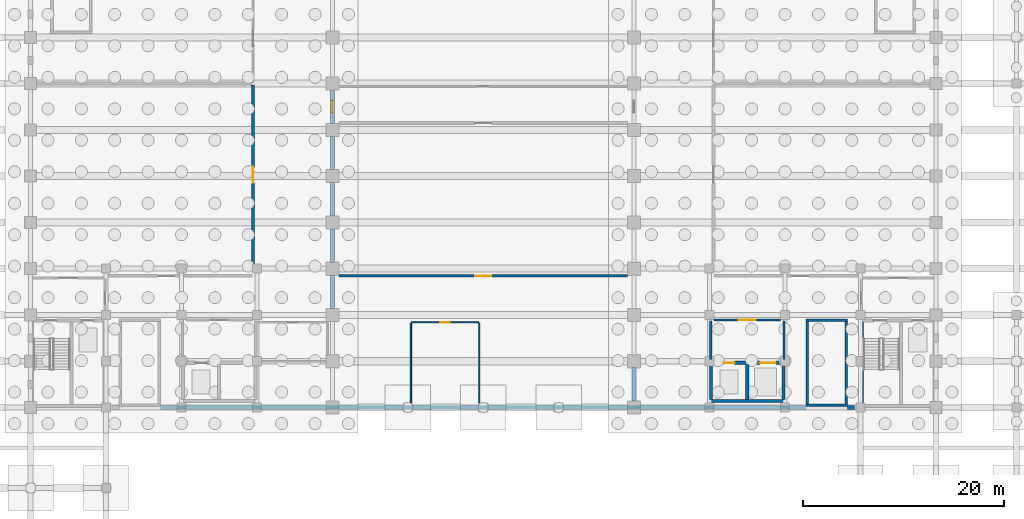
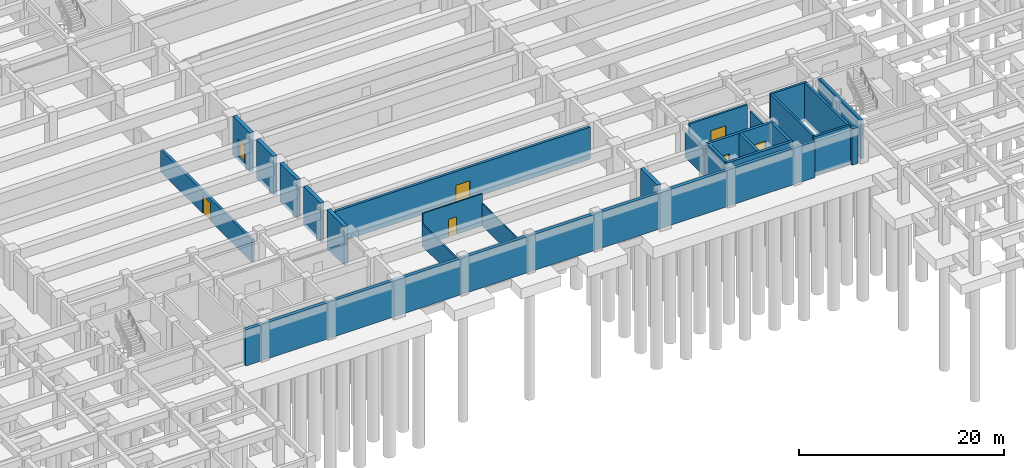
# One storey, part 22 of 32: 26 walls, 7 doors, 7 openings.
"""IFC4 building model written with IfcOpenShell, lengths in metres."""

from ifc_helpers import new_model, si_unit, direction, frame, frame_2d, origin, place, context, subcontext, project, spatial, rectangle, extrude, material, layer, layer_set, type_object, element, fill, save


model = new_model("IFC4")

# Units and contexts
model_context = context("Model", 3, precision=1e-05, world=origin(), true_north=direction((0.0, 1.0)))
body_context = subcontext(model_context, "Body", "Model", "MODEL_VIEW")
ifc_project = project(units=[si_unit("LENGTHUNIT", "METRE"), si_unit("AREAUNIT", "SQUARE_METRE"), si_unit("VOLUMEUNIT", "CUBIC_METRE"), si_unit("PLANEANGLEUNIT", "RADIAN"), si_unit("MASSUNIT", "GRAM", prefix="KILO")], contexts=[model_context])

# Site, building, storey
site_placement = place(None, origin())
site = spatial("IfcSite", under=ifc_project, at=site_placement, CompositionType="ELEMENT")
building_placement = place(site_placement, origin())
building = spatial("IfcBuilding", under=site, at=building_placement, Name="Muzn Square Opera House", CompositionType="ELEMENT")
storey_placement = place(building_placement, frame((0.0, 0.0, -4.199951171875)))
storey = spatial("IfcBuildingStorey", under=building, at=storey_placement, Name="B1", CompositionType="ELEMENT", Elevation=-4.199951171875)

# Walls
ifc_material_1 = material(Name="Concrete C45/55", Category="concrete")
ifc_layer_1 = layer(ifc_material_1, 0.419921875, Name="Concrete C45/55", Category="concrete")
ifc_layer_set_1 = layer_set([ifc_layer_1], Name="Concrete C45/55")
wall_type_1 = type_object("IfcWallType", Name="Auditorium Acoustic Shear Wall 420mm", PredefinedType="SHEAR", material=ifc_layer_set_1)
wall_1_placement = place(storey_placement, frame((103.0, 22.639892578125, -0.420166015625), z_axis=(0.0, 0.0, 1.0), x_axis=(0.0, 1.0, 0.0)))
element("IfcWall", 1, at=wall_1_placement, inside=storey, type_object=wall_type_1, Name="Auditorium Acoustic Shear Wall AUDW-B1-E00", PredefinedType="SHEAR", context=body_context, shape_type="SweptSolid", body=[
    extrude(rectangle(XDim=3.320068359375, YDim=0.419921875, at=frame_2d((1.66015625, 0.0))), origin(), (0.0, 0.0, 1.0), 4.6201171875),
])
wall_2_placement = place(storey_placement, frame((73.0, 31.840087890625, -0.420166015625), z_axis=(0.0, 0.0, 1.0), x_axis=(0.0, 1.0, 0.0)))
element("IfcWall", 2, at=wall_2_placement, inside=storey, type_object=wall_type_1, Name="Auditorium Acoustic Shear Wall AUDW-B1-W02", PredefinedType="SHEAR", context=body_context, shape_type="SweptSolid", body=[
    extrude(rectangle(XDim=3.31982421875, YDim=0.419921875, at=frame_2d((1.659912109375, 0.0))), origin(), (0.0, 0.0, 1.0), 4.6201171875),
])
for number, where, z_axis, x_axis, name in (
    (3, (73.0, 36.43994140625, -0.420166015625), (0.0, 0.0, 1.0), (0.0, 1.0, 0.0), "Auditorium Acoustic Shear Wall AUDW-B1-W03"),
    (4, (73.0, 41.0400390625, -0.420166015625), (0.0, 0.0, 1.0), (0.0, 1.0, 0.0), "Auditorium Acoustic Shear Wall AUDW-B1-W04"),
    (5, (73.0, 45.639892578125, -0.420166015625), (0.0, 0.0, 1.0), (0.0, 1.0, 0.0), "Auditorium Acoustic Shear Wall AUDW-B1-W05"),
):
    element("IfcWall", number, at=place(storey_placement, frame(where, z_axis=z_axis, x_axis=x_axis)), inside=storey, type_object=wall_type_1, Name=name, PredefinedType="SHEAR", context=body_context, shape_type="SweptSolid", body=[
        extrude(rectangle(XDim=3.320068359375, YDim=0.419921875, at=frame_2d((1.66015625, 0.0))), origin(), (0.0, 0.0, 1.0), 4.6201171875),
    ])

# Wall, opening, door
wall_3_placement = place(storey_placement, frame((73.0, 50.239990234375, -0.420166015625), z_axis=(0.0, 0.0, 1.0), x_axis=(0.0, 1.0, 0.0)))
wall_3 = element("IfcWall", 6, at=wall_3_placement, inside=storey, type_object=wall_type_1, Name="Auditorium Acoustic Shear Wall AUDW-B1-W06", PredefinedType="SHEAR", context=body_context, shape_type="SweptSolid", body=[
    extrude(rectangle(XDim=3.320068359375, YDim=0.419921875, at=frame_2d((1.66015625, 0.0))), origin(), (0.0, 0.0, 1.0), 4.6201171875),
])
opening_1_placement = place(wall_3_placement, frame((1.06005859375, 0.0, 0.419921875)))
opening_1 = element("IfcOpeningElement", 7, at=opening_1_placement, cuts=wall_3, Name="Opening DR-ST12", PredefinedType="OPENING", context=body_context, shape_type="SweptSolid", body=[
    extrude(rectangle(XDim=1.199951171875, YDim=2.14990234375, at=frame_2d((0.60009765625, 1.074951171875))), frame((0.0, 0.219970703125, 0.0), z_axis=(0.0, -1.0, 0.0), x_axis=(1.0, 0.0, 0.0)), (0.0, 0.0, 1.0), 0.43994140625),
])
ifc_material_2 = material(Name="Galvanised painted steel leaf", Category="metal")
door_type_1 = type_object("IfcDoorType", Name="Core Stair Fire Door 1200x2150", OperationType="NOTDEFINED", PredefinedType="DOOR", material=ifc_material_2)
door_1_placement = place(opening_1_placement, origin())
door_1 = element("IfcDoor", 8, at=door_1_placement, inside=storey, type_object=door_type_1, Name="Basement Mid Cross Corridor Fire Door W", OperationType="SINGLE_SWING_LEFT", OverallHeight=2.14990234375, OverallWidth=1.199951171875, PredefinedType="DOOR", context=body_context, shape_type="SweptSolid", body=[
    extrude(rectangle(XDim=1.199951171875, YDim=2.14990234375, at=frame_2d((0.60009765625, 1.074951171875))), frame((0.0, 0.02490234375, 0.0), z_axis=(0.0, -1.0, 0.0), x_axis=(1.0, 0.0, 0.0)), (0.0, 0.0, 1.0), 0.050048828125),
])
fill(opening_1, door_1)

# Walls
ifc_layer_2 = layer(ifc_material_1, 0.3798828125, Name="Concrete C45/55", Category="concrete")
ifc_layer_set_2 = layer_set([ifc_layer_2], Name="Concrete C45/55")
wall_type_2 = type_object("IfcWallType", Name="Basement Retaining Wall 380mm", PredefinedType="SHEAR", material=ifc_layer_set_2)
wall_4_placement = place(storey_placement, frame((55.919921875, 22.0, -0.420166015625), z_axis=(0.0, 0.0, 1.0), x_axis=(1.0, 0.0, 0.0)))
element("IfcWall", 9, at=wall_4_placement, inside=storey, type_object=wall_type_2, Name="Basement Retaining Wall RET-B1-S1", PredefinedType="SHEAR", context=body_context, shape_type="SweptSolid", body=[
    extrude(rectangle(XDim=64.16015625, YDim=0.3798828125, at=frame_2d((32.080078125, 0.0))), origin(), (0.0, 0.0, 1.0), 4.300048828125),
])
wall_5_placement = place(storey_placement, frame((124.219970703125, 22.0, -0.420166015625), z_axis=(0.0, 0.0, 1.0), x_axis=(1.0, 0.0, 0.0)))
element("IfcWall", 10, at=wall_5_placement, inside=storey, type_object=wall_type_2, Name="Basement Retaining Wall RET-B1-S1", PredefinedType="SHEAR", context=body_context, shape_type="SweptSolid", body=[
    extrude(rectangle(XDim=0.679931640625, YDim=0.3798828125, at=frame_2d((0.33984375, 0.0))), origin(), (0.0, 0.0, 1.0), 4.300048828125),
])
ifc_layer_3 = layer(ifc_material_1, 0.300048828125, Name="Concrete C45/55", Category="concrete")
ifc_layer_set_3 = layer_set([ifc_layer_3], Name="Concrete C45/55")
wall_type_3 = type_object("IfcWallType", Name="Core Shear Wall 300mm", PredefinedType="SHEAR", material=ifc_layer_set_3)
wall_6_placement = place(storey_placement, frame((125.64990234375, 22.300048828125, -0.420166015625), z_axis=(0.0, 0.0, 1.0), x_axis=(0.0, 1.0, 0.0)))
element("IfcWall", 11, at=wall_6_placement, inside=storey, type_object=wall_type_3, Name="Core C4 Shear Wall SW-C4-B1-W", PredefinedType="SHEAR", context=body_context, shape_type="SweptSolid", body=[
    extrude(rectangle(XDim=8.199951171875, YDim=0.300048828125, at=frame_2d((4.10009765625, 0.0))), origin(), (0.0, 0.0, 1.0), 4.6201171875),
])
wall_7_placement = place(storey_placement, frame((110.5, 22.64990234375, -0.420166015625), z_axis=(0.0, 0.0, 1.0), x_axis=(1.0, 0.0, 0.0)))
element("IfcWall", 12, at=wall_7_placement, inside=storey, type_object=wall_type_3, Name="Lift Bank LBE Shear Wall SW-LBE-B1-S", PredefinedType="SHEAR", context=body_context, shape_type="SweptSolid", body=[
    extrude(rectangle(XDim=7.5, YDim=0.300048828125, at=frame_2d((3.75, 0.0))), origin(), (0.0, 0.0, 1.0), 4.6201171875),
])
for number, where, z_axis, x_axis, name in (
    (13, (110.64990234375, 22.800048828125, -0.420166015625), (0.0, 0.0, 1.0), (0.0, 1.0, 0.0), "Lift Bank LBE Shear Wall SW-LBE-B1-W"),
    (14, (117.85009765625, 22.800048828125, -0.420166015625), (0.0, 0.0, 1.0), (0.0, 1.0, 0.0), "Lift Bank LBE Shear Wall SW-LBE-B1-E"),
    (15, (114.25, 22.800048828125, -0.420166015625), (0.0, 0.0, 1.0), (0.0, 1.0, 0.0), "Lift Bank LBE Shear Wall SW-LBE-B1-DIV"),
):
    element("IfcWall", number, at=place(storey_placement, frame(where, z_axis=z_axis, x_axis=x_axis)), inside=storey, type_object=wall_type_3, Name=name, PredefinedType="SHEAR", context=body_context, shape_type="SweptSolid", body=[
        extrude(rectangle(XDim=3.5, YDim=0.300048828125, at=frame_2d((1.75, 0.0))), origin(), (0.0, 0.0, 1.0), 4.6201171875),
    ])
wall_8_placement = place(storey_placement, frame((120.10009765625, 22.22509765625, -0.420166015625), z_axis=(0.0, 0.0, 1.0), x_axis=(1.0, 0.0, 0.0)))
element("IfcWall", 16, at=wall_8_placement, inside=storey, type_object=wall_type_3, Name="Escape Stair ST-12 Substructure Wall S", PredefinedType="SHEAR", context=body_context, shape_type="SweptSolid", body=[
    extrude(rectangle(XDim=4.099853515625, YDim=0.25, at=frame_2d((2.0498046875, 0.0))), origin(), (0.0, 0.0, 1.0), 4.6201171875),
])
for number, where, z_axis, x_axis, name in (
    (17, (120.22509765625, 22.35009765625, -0.420166015625), (0.0, 0.0, 1.0), (0.0, 1.0, 0.0), "Escape Stair ST-12 Substructure Wall W"),
    (18, (124.074951171875, 22.35009765625, -0.420166015625), (0.0, 0.0, 1.0), (0.0, 1.0, 0.0), "Escape Stair ST-12 Substructure Wall E"),
):
    element("IfcWall", number, at=place(storey_placement, frame(where, z_axis=z_axis, x_axis=x_axis)), inside=storey, type_object=wall_type_3, Name=name, PredefinedType="SHEAR", context=body_context, shape_type="SweptSolid", body=[
        extrude(rectangle(XDim=8.199951171875, YDim=0.25, at=frame_2d((4.10009765625, 0.0))), origin(), (0.0, 0.0, 1.0), 4.6201171875),
    ])
wall_9_placement = place(storey_placement, frame((120.10009765625, 30.675048828125, -0.420166015625), z_axis=(0.0, 0.0, 1.0), x_axis=(1.0, 0.0, 0.0)))
element("IfcWall", 19, at=wall_9_placement, inside=storey, type_object=wall_type_3, Name="Escape Stair ST-12 Substructure Wall N", PredefinedType="SHEAR", context=body_context, shape_type="SweptSolid", body=[
    extrude(rectangle(XDim=4.099853515625, YDim=0.25, at=frame_2d((2.0498046875, 0.0))), origin(), (0.0, 0.0, 1.0), 4.6201171875),
])

# Wall, openings, doors
wall_10_placement = place(storey_placement, frame((110.5, 26.449951171875, 0.0), z_axis=(0.0, 0.0, 1.0), x_axis=(1.0, 0.0, 0.0)))
wall_10 = element("IfcWall", 20, at=wall_10_placement, inside=storey, type_object=wall_type_3, Name="Lift Bank LBE Front Wall B1", PredefinedType="SHEAR", context=body_context, shape_type="SweptSolid", body=[
    extrude(rectangle(XDim=7.5, YDim=0.300048828125, at=frame_2d((3.75, 0.0))), origin(), (0.0, 0.0, 1.0), 4.199951171875),
])
opening_2_placement = place(wall_10_placement, frame((1.39990234375, 0.0, 0.0)))
opening_2 = element("IfcOpeningElement", 21, at=opening_2_placement, cuts=wall_10, Name="Opening LD-01", PredefinedType="OPENING", context=body_context, shape_type="SweptSolid", body=[
    extrude(rectangle(XDim=1.10009765625, YDim=2.14990234375, at=frame_2d((0.550048828125, 1.074951171875))), frame((0.0, 0.159912109375, 0.0), z_axis=(0.0, -1.0, 0.0), x_axis=(1.0, 0.0, 0.0)), (0.0, 0.0, 1.0), 0.320068359375),
])
opening_3_placement = place(wall_10_placement, frame((5.0, 0.0, 0.0)))
opening_3 = element("IfcOpeningElement", 22, at=opening_3_placement, cuts=wall_10, Name="Opening LD-02", PredefinedType="OPENING", context=body_context, shape_type="SweptSolid", body=[
    extrude(rectangle(XDim=1.60009765625, YDim=2.25, at=frame_2d((0.800048828125, 1.125))), frame((0.0, 0.159912109375, 0.0), z_axis=(0.0, -1.0, 0.0), x_axis=(1.0, 0.0, 0.0)), (0.0, 0.0, 1.0), 0.320068359375),
])
ifc_material_3 = material(Name="Brushed stainless steel", Category="metal")
door_type_2 = type_object("IfcDoorType", Name="Goods Lift Sliding Door 1600x2250", OperationType="SLIDING_TO_LEFT", PredefinedType="DOOR", material=ifc_material_3)
door_2_placement = place(opening_3_placement, origin())
door_2 = element("IfcDoor", 23, at=door_2_placement, inside=storey, type_object=door_type_2, Name="Lift GL-2 Sliding Landing Door B1", OperationType="SLIDING_TO_LEFT", OverallHeight=2.25, OverallWidth=1.60009765625, PredefinedType="DOOR", context=body_context, shape_type="SweptSolid", body=[
    extrude(rectangle(XDim=1.60009765625, YDim=2.25, at=frame_2d((0.800048828125, 1.125))), frame((0.0, 0.02490234375, 0.0), z_axis=(0.0, -1.0, 0.0), x_axis=(1.0, 0.0, 0.0)), (0.0, 0.0, 1.0), 0.050048828125),
])
fill(opening_3, door_2)
door_type_3 = type_object("IfcDoorType", Name="Lift Landing Sliding Door 1100x2150", OperationType="SLIDING_TO_LEFT", PredefinedType="DOOR", material=ifc_material_3)
door_3_placement = place(opening_2_placement, origin())
door_3 = element("IfcDoor", 24, at=door_3_placement, inside=storey, type_object=door_type_3, Name="Lift PL-4 Sliding Landing Door B1", OperationType="SLIDING_TO_LEFT", OverallHeight=2.14990234375, OverallWidth=1.10009765625, PredefinedType="DOOR", context=body_context, shape_type="SweptSolid", body=[
    extrude(rectangle(XDim=1.10009765625, YDim=2.14990234375, at=frame_2d((0.550048828125, 1.074951171875))), frame((0.0, 0.02490234375, 0.0), z_axis=(0.0, -1.0, 0.0), x_axis=(1.0, 0.0, 0.0)), (0.0, 0.0, 1.0), 0.050048828125),
])
fill(opening_2, door_3)

# Wall, opening, door
ifc_material_4 = material(Name="Concrete C40/50", Category="concrete")
ifc_layer_4 = layer(ifc_material_4, 0.219970703125, Name="Concrete C40/50", Category="concrete")
ifc_layer_set_4 = layer_set([ifc_layer_4], Name="Concrete C40/50")
wall_type_4 = type_object("IfcWallType", Name="Lift Lobby Wall 220mm", PredefinedType="SOLIDWALL", material=ifc_layer_set_4)
wall_11_placement = place(storey_placement, frame((110.965087890625, 30.68994140625, 0.0), z_axis=(0.0, 0.0, 1.0), x_axis=(1.0, 0.0, 0.0)))
wall_11 = element("IfcWall", 25, at=wall_11_placement, inside=storey, type_object=wall_type_4, Name="Lift Lobby LBE Wall B1", PredefinedType="SOLIDWALL", context=body_context, shape_type="SweptSolid", body=[
    extrude(rectangle(XDim=6.56982421875, YDim=0.219970703125, at=frame_2d((3.284912109375, 0.0))), origin(), (0.0, 0.0, 1.0), 3.820068359375),
])
opening_4_placement = place(wall_11_placement, frame((2.43505859375, 0.0, 0.0)))
opening_4 = element("IfcOpeningElement", 26, at=opening_4_placement, cuts=wall_11, Name="Opening DR-LL17", PredefinedType="OPENING", context=body_context, shape_type="SweptSolid", body=[
    extrude(rectangle(XDim=1.699951171875, YDim=2.179931640625, at=frame_2d((0.85009765625, 1.08984375))), frame((0.0, 0.119873046875, 0.0), z_axis=(0.0, -1.0, 0.0), x_axis=(1.0, 0.0, 0.0)), (0.0, 0.0, 1.0), 0.239990234375),
])
ifc_material_5 = material(Name="Acoustic hardwood leaf", Category="wood")
door_type_4 = type_object("IfcDoorType", Name="Lift Lobby Double Door 1700x2180", OperationType="DOUBLE_DOOR_SINGLE_SWING", PredefinedType="DOOR", material=ifc_material_5)
door_4_placement = place(opening_4_placement, origin())
door_4 = element("IfcDoor", 27, at=door_4_placement, inside=storey, type_object=door_type_4, Name="Lift Lobby LBE Door B1", OperationType="DOUBLE_DOOR_SINGLE_SWING", OverallHeight=2.179931640625, OverallWidth=1.699951171875, PredefinedType="DOOR", context=body_context, shape_type="SweptSolid", body=[
    extrude(rectangle(XDim=1.699951171875, YDim=2.179931640625, at=frame_2d((0.85009765625, 1.08984375))), frame((0.0, 0.02490234375, 0.0), z_axis=(0.0, -1.0, 0.0), x_axis=(1.0, 0.0, 0.0)), (0.0, 0.0, 1.0), 0.050048828125),
])
fill(opening_4, door_4)

# Walls
for number, where, z_axis, x_axis, name in (
    (28, (110.610107421875, 26.75, 0.0), (0.0, 0.0, 1.0), (0.0, 1.0, 0.0), "Lift Lobby LBE Side Wall W B1"),
    (29, (117.889892578125, 26.75, 0.0), (0.0, 0.0, 1.0), (0.0, 1.0, 0.0), "Lift Lobby LBE Side Wall E B1"),
):
    element("IfcWall", number, at=place(storey_placement, frame(where, z_axis=z_axis, x_axis=x_axis)), inside=storey, type_object=wall_type_4, Name=name, PredefinedType="SOLIDWALL", context=body_context, shape_type="SweptSolid", body=[
        extrude(rectangle(XDim=3.830078125, YDim=0.219970703125, at=frame_2d((1.9150390625, 0.0))), origin(), (0.0, 0.0, 1.0), 2.9599609375),
    ])

# Wall, opening, door
ifc_layer_5 = layer(ifc_material_4, 0.280029296875, Name="Concrete C40/50", Category="concrete")
ifc_layer_set_5 = layer_set([ifc_layer_5], Name="Concrete C40/50")
wall_type_5 = type_object("IfcWallType", Name="Plant Enclosure Wall 280mm", PredefinedType="SOLIDWALL", material=ifc_layer_set_5)
wall_12_placement = place(storey_placement, frame((65.10009765625, 36.27001953125, 0.0), z_axis=(0.0, 0.0, 1.0), x_axis=(0.0, 1.0, 0.0)))
wall_12 = element("IfcWall", 30, at=wall_12_placement, inside=storey, type_object=wall_type_5, Name="Interior Partition PW-B1-0005", PredefinedType="SOLIDWALL", context=body_context, shape_type="SweptSolid", body=[
    extrude(rectangle(XDim=17.804931640625, YDim=0.280029296875, at=frame_2d((8.90234375, 0.0))), origin(), (0.0, 0.0, 1.0), 2.659912109375),
])
opening_5_placement = place(wall_12_placement, frame((8.06494140625, 0.0, 0.0)))
opening_5 = element("IfcOpeningElement", 31, at=opening_5_placement, cuts=wall_12, Name="Opening DR-PL16", PredefinedType="OPENING", context=body_context, shape_type="SweptSolid", body=[
    extrude(rectangle(XDim=1.60009765625, YDim=2.179931640625, at=frame_2d((0.800048828125, 1.08984375))), frame((0.0, 0.14990234375, 0.0), z_axis=(0.0, -1.0, 0.0), x_axis=(1.0, 0.0, 0.0)), (0.0, 0.0, 1.0), 0.300048828125),
])
door_type_5 = type_object("IfcDoorType", Name="Plant Room Double Door 1600x2180", OperationType="DOUBLE_DOOR_SINGLE_SWING", PredefinedType="DOOR", material=ifc_material_2)
door_5_placement = place(opening_5_placement, origin())
door_5 = element("IfcDoor", 32, at=door_5_placement, inside=storey, type_object=door_type_5, Name="Standby Power Hall Door DR-B1-0003", OperationType="DOUBLE_DOOR_SINGLE_SWING", OverallHeight=2.179931640625, OverallWidth=1.60009765625, PredefinedType="DOOR", context=body_context, shape_type="SweptSolid", body=[
    extrude(rectangle(XDim=1.60009765625, YDim=2.179931640625, at=frame_2d((0.800048828125, 1.08984375))), frame((0.0, 0.02490234375, 0.0), z_axis=(0.0, -1.0, 0.0), x_axis=(1.0, 0.0, 0.0)), (0.0, 0.0, 1.0), 0.050048828125),
])
fill(opening_5, door_5)

wall_13_placement = place(storey_placement, frame((73.655029296875, 35.10009765625, 0.0), z_axis=(0.0, 0.0, 1.0), x_axis=(1.0, 0.0, 0.0)))
wall_13 = element("IfcWall", 33, at=wall_13_placement, inside=storey, type_object=wall_type_5, Name="Interior Partition PW-B1-0009", PredefinedType="SOLIDWALL", context=body_context, shape_type="SweptSolid", body=[
    extrude(rectangle(XDim=28.68994140625, YDim=0.280029296875, at=frame_2d((14.344970703125, 0.0))), origin(), (0.0, 0.0, 1.0), 3.820068359375),
])
opening_6_placement = place(wall_13_placement, frame((13.544921875, 0.0, 0.0)))
opening_6 = element("IfcOpeningElement", 34, at=opening_6_placement, cuts=wall_13, Name="Opening DR-PL16", PredefinedType="OPENING", context=body_context, shape_type="SweptSolid", body=[
    extrude(rectangle(XDim=1.60009765625, YDim=2.179931640625, at=frame_2d((0.800048828125, 1.08984375))), frame((0.0, 0.14990234375, 0.0), z_axis=(0.0, -1.0, 0.0), x_axis=(1.0, 0.0, 0.0)), (0.0, 0.0, 1.0), 0.300048828125),
])
door_6_placement = place(opening_6_placement, origin())
door_6 = element("IfcDoor", 35, at=door_6_placement, inside=storey, type_object=door_type_5, Name="Acoustic Plenum and Pump Plant Door DR-B1-0006", OperationType="DOUBLE_DOOR_SINGLE_SWING", OverallHeight=2.179931640625, OverallWidth=1.60009765625, PredefinedType="DOOR", context=body_context, shape_type="SweptSolid", body=[
    extrude(rectangle(XDim=1.60009765625, YDim=2.179931640625, at=frame_2d((0.800048828125, 1.08984375))), frame((0.0, 0.02490234375, 0.0), z_axis=(0.0, -1.0, 0.0), x_axis=(1.0, 0.0, 0.0)), (0.0, 0.0, 1.0), 0.050048828125),
])
fill(opening_6, door_6)

ifc_material_6 = material(Name="Acoustic gypsum stud partition", Category="gypsum")
ifc_layer_6 = layer(ifc_material_6, 0.139892578125, Name="Acoustic gypsum stud partition", Category="gypsum")
ifc_layer_set_6 = layer_set([ifc_layer_6], Name="Acoustic gypsum stud partition")
wall_type_6 = type_object("IfcWallType", Name="Wet Room Tile Partition 140mm", PredefinedType="PARTITIONING", material=ifc_layer_set_6)
wall_14_placement = place(storey_placement, frame((80.85498046875, 30.47509765625, 0.0), z_axis=(0.0, 0.0, 1.0), x_axis=(1.0, 0.0, 0.0)))
wall_14 = element("IfcWall", 36, at=wall_14_placement, inside=storey, type_object=wall_type_6, Name="Interior Partition PW-B1-0018", PredefinedType="PARTITIONING", context=body_context, shape_type="SweptSolid", body=[
    extrude(rectangle(XDim=6.68994140625, YDim=0.139892578125, at=frame_2d((3.344970703125, 0.0))), origin(), (0.0, 0.0, 1.0), 3.820068359375),
])
opening_7_placement = place(wall_14_placement, frame((2.89501953125, 0.0, 0.0)))
opening_7 = element("IfcOpeningElement", 37, at=opening_7_placement, cuts=wall_14, Name="Opening DR-WC90", PredefinedType="OPENING", context=body_context, shape_type="SweptSolid", body=[
    extrude(rectangle(XDim=0.89990234375, YDim=2.10009765625, at=frame_2d((0.449951171875, 1.050048828125))), frame((0.0, 0.079833984375, 0.0), z_axis=(0.0, -1.0, 0.0), x_axis=(1.0, 0.0, 0.0)), (0.0, 0.0, 1.0), 0.159912109375),
])
door_type_6 = type_object("IfcDoorType", Name="Public WC Lobby Door 900x2100", OperationType="NOTDEFINED", PredefinedType="DOOR", material=ifc_material_5)
door_7_placement = place(opening_7_placement, origin())
door_7 = element("IfcDoor", 38, at=door_7_placement, inside=storey, type_object=door_type_6, Name="Basement Engineer Staff WC Door DR-B1-0011", OperationType="SINGLE_SWING_LEFT", OverallHeight=2.10009765625, OverallWidth=0.89990234375, PredefinedType="DOOR", context=body_context, shape_type="SweptSolid", body=[
    extrude(rectangle(XDim=0.89990234375, YDim=2.10009765625, at=frame_2d((0.449951171875, 1.050048828125))), frame((0.0, 0.02490234375, 0.0), z_axis=(0.0, -1.0, 0.0), x_axis=(1.0, 0.0, 0.0)), (0.0, 0.0, 1.0), 0.050048828125),
])
fill(opening_7, door_7)

# Walls
for number, where, z_axis, x_axis, name in (
    (39, (80.800048828125, 22.469970703125, 0.0), (0.0, 0.0, 1.0), (0.0, 1.0, 0.0), "Room Enclosure Partition PW-B1-0035"),
    (40, (87.60009765625, 22.469970703125, 0.0), (0.0, 0.0, 1.0), (0.0, 1.0, 0.0), "Room Enclosure Partition PW-B1-0036"),
):
    element("IfcWall", number, at=place(storey_placement, frame(where, z_axis=z_axis, x_axis=x_axis)), inside=storey, type_object=wall_type_6, Name=name, PredefinedType="PARTITIONING", context=body_context, shape_type="SweptSolid", body=[
        extrude(rectangle(XDim=7.929931640625, YDim=0.139892578125, at=frame_2d((3.96484375, 0.0))), origin(), (0.0, 0.0, 1.0), 2.659912109375),
    ])

save(model, "model.ifc")
